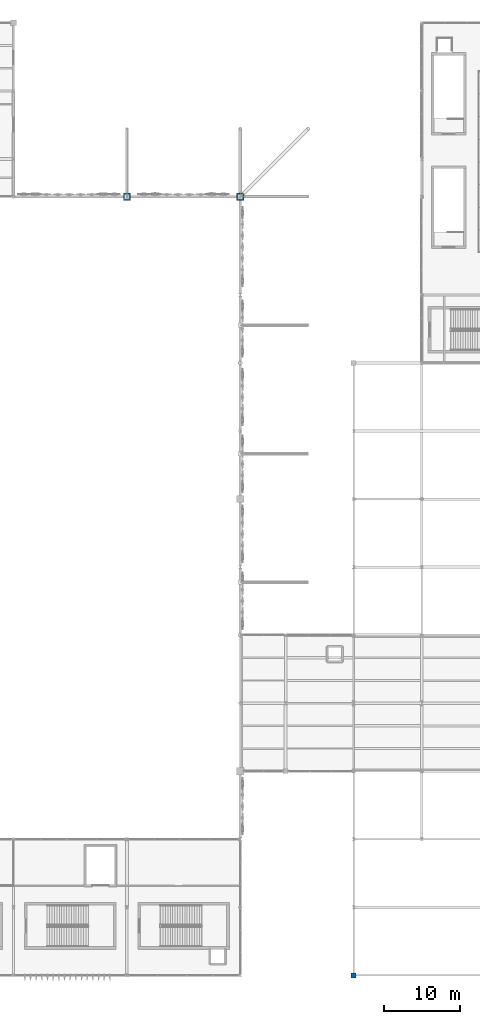
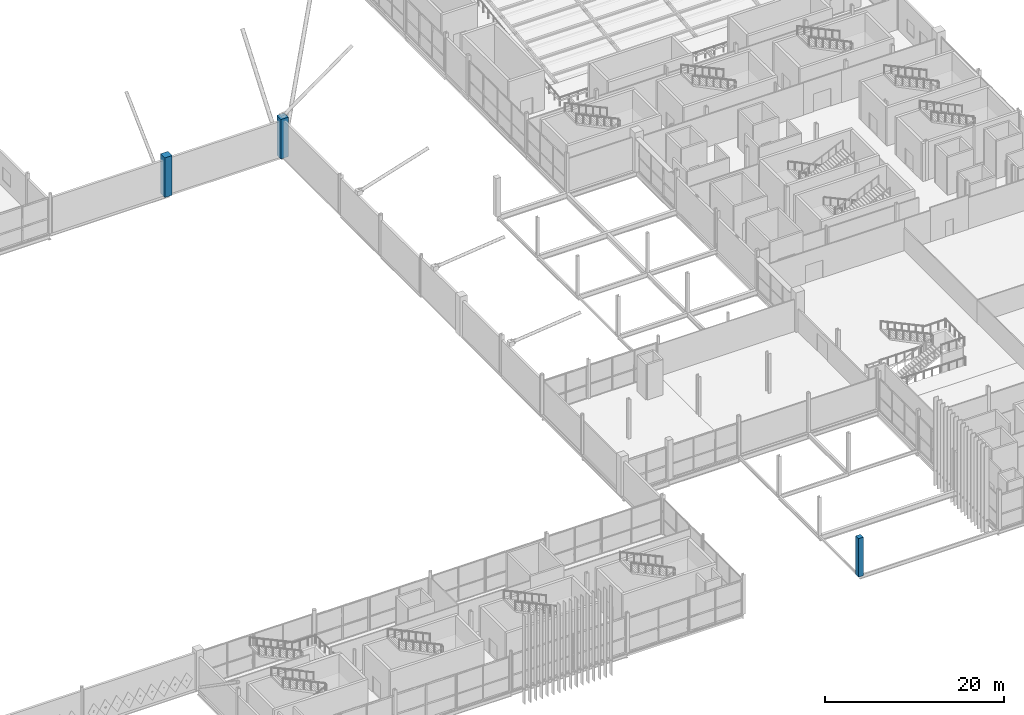
# One storey, part 10 of 119: 3 columns.
"""IFC4 building model written with IfcOpenShell, lengths in metres."""

from ifc_helpers import new_model, si_unit, direction, frame, origin, origin_2d, place, context, subcontext, project, spatial, rectangle, extrude, material, material_profile, profile_set, type_object, element, save


model = new_model("IFC4")

# Units and contexts
model_context = context("Model", 3, precision=1e-05, world=origin(), true_north=direction((0.0, 1.0)))
body_context = subcontext(model_context, "Body", "Model", "MODEL_VIEW")
ifc_project = project(units=[si_unit("LENGTHUNIT", "METRE"), si_unit("AREAUNIT", "SQUARE_METRE"), si_unit("VOLUMEUNIT", "CUBIC_METRE"), si_unit("PLANEANGLEUNIT", "RADIAN"), si_unit("MASSUNIT", "GRAM", prefix="KILO")], contexts=[model_context])

# Site, building, storey
site_placement = place(None, origin())
site = spatial("IfcSite", under=ifc_project, at=site_placement, CompositionType="ELEMENT")
building_placement = place(site_placement, origin())
building = spatial("IfcBuilding", under=site, at=building_placement, Name="Qamarlyn Nura Convention Centre", CompositionType="ELEMENT")
storey_placement = place(building_placement, frame((0.0, 0.0, 5.39990234375)))
storey = spatial("IfcBuildingStorey", under=building, at=storey_placement, Name="L01", CompositionType="ELEMENT", Elevation=5.39990234375)

# Columns
ifc_material = material(Name="Concrete C50/60", Category="concrete")
ifc_material_profile_1 = material_profile(ifc_material, rectangle(XDim=0.949951171875, YDim=0.949951171875, at=origin_2d()), Name="RC 950x950")
ifc_profile_set_1 = profile_set([ifc_material_profile_1], Name="Concrete C50/60")
column_type_1 = type_object("IfcColumnType", Name="COL-HALL-2", PredefinedType="COLUMN", material=ifc_profile_set_1)
for number, where, z_axis, x_axis, name in (
    (1, (105.0, 103.0, 0.0), (0.0, 0.0, 1.0), (1.0, 0.0, 0.0), "L01 column 8/M"),
    (2, (120.0, 103.0, 0.0), (0.0, 0.0, 1.0), (1.0, 0.0, 0.0), "L01 column 9/M"),
):
    element("IfcColumn", number, at=place(storey_placement, frame(where, z_axis=z_axis, x_axis=x_axis)), inside=storey, type_object=column_type_1, Name=name, PredefinedType="COLUMN", context=body_context, shape_type="SweptSolid", body=[
        extrude(rectangle(XDim=0.949951171875, YDim=0.949951171875, at=origin_2d()), origin(), (0.0, 0.0, 1.0), 5.400146484375),
    ])
ifc_material_profile_2 = material_profile(ifc_material, rectangle(XDim=0.64990234375, YDim=0.64990234375, at=origin_2d()), Name="RC 650x650")
ifc_profile_set_2 = profile_set([ifc_material_profile_2], Name="Concrete C50/60")
column_type_2 = type_object("IfcColumnType", Name="COL-SUB-3", PredefinedType="COLUMN", material=ifc_profile_set_2)
column_placement = place(storey_placement, frame((135.0, 0.0, 0.0), z_axis=(0.0, 0.0, 1.0), x_axis=(1.0, 0.0, 0.0)))
element("IfcColumn", 3, at=column_placement, inside=storey, type_object=column_type_2, Name="L01 column 11/A", PredefinedType="COLUMN", context=body_context, shape_type="SweptSolid", body=[
    extrude(rectangle(XDim=0.64990234375, YDim=0.64990234375, at=origin_2d()), origin(), (0.0, 0.0, 1.0), 5.255126953125),
])

save(model, "model.ifc")
